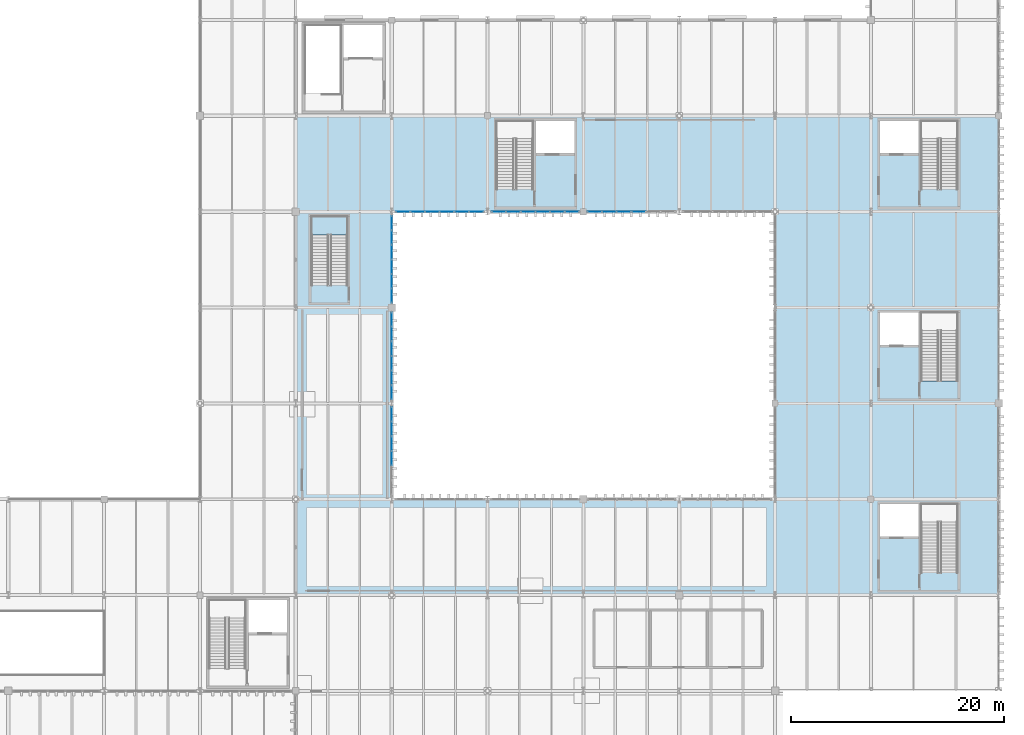
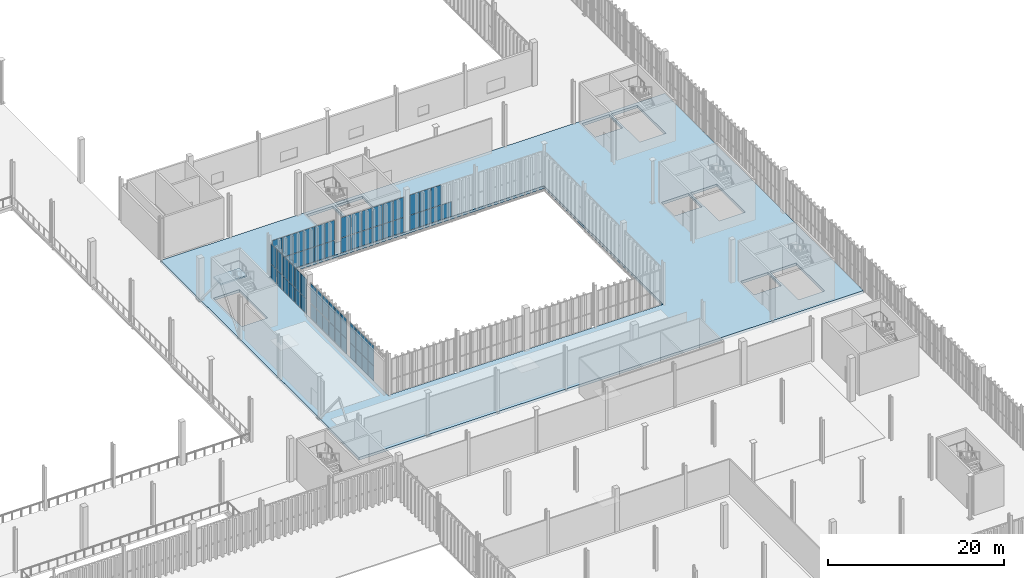
# One storey, part 163 of 211: 63 plates, 2 slabs, 7 elements without a shape of their own.
"""IFC4 building model written with IfcOpenShell, lengths in metres."""

from ifc_helpers import new_model, si_unit, direction, frame, origin, origin_2d, place, context, subcontext, project, spatial, polyline, rectangle, outline, extrude, material, layer, layer_set, type_object, element, aggregate, save


model = new_model("IFC4")

# Units and contexts
model_context = context("Model", 3, precision=1e-05, world=origin(), true_north=direction((0.0, 1.0)))
body_context = subcontext(model_context, "Body", "Model", "MODEL_VIEW")
ifc_project = project(units=[si_unit("LENGTHUNIT", "METRE"), si_unit("AREAUNIT", "SQUARE_METRE"), si_unit("VOLUMEUNIT", "CUBIC_METRE"), si_unit("PLANEANGLEUNIT", "RADIAN"), si_unit("MASSUNIT", "GRAM", prefix="KILO")], contexts=[model_context])

# Site, building, storey
site_placement = place(None, origin())
site = spatial("IfcSite", under=ifc_project, at=site_placement, CompositionType="ELEMENT")
building_placement = place(site_placement, origin())
building = spatial("IfcBuilding", under=site, at=building_placement, Name="Barlavento Convention Centre", CompositionType="ELEMENT")
storey_placement = place(building_placement, frame((0.0, 0.0, 6.0)))
storey = spatial("IfcBuildingStorey", under=building, at=storey_placement, Name="L01", CompositionType="ELEMENT", Elevation=6.0)

# Curtain wall, plates
ifc_material_1 = material(Name="Powder-coated aluminium and Low-E glass", Category="aluminium")
ifc_layer_1 = layer(ifc_material_1, 0.195068359375)
ifc_layer_set_1 = layer_set([ifc_layer_1], Name="ARC-CW-PATIO-A")
curtain_wall_type = type_object("IfcCurtainWallType", Name="ARC-CW-PATIO-A", PredefinedType="NOTDEFINED", material=ifc_layer_set_1)
curtain_wall_1_placement = place(storey_placement, origin())
curtain_wall_1 = element("IfcCurtainWall", 1, at=curtain_wall_1_placement, inside=storey, type_object=curtain_wall_type, Name="L01 unitised curtain wall CW11", PredefinedType="NOTDEFINED")
ifc_material_2 = material(Name="Double-silver Low-E insulated glass", Category="glass")
ifc_layer_2 = layer(ifc_material_2, 0.028076171875)
ifc_layer_set_2 = layer_set([ifc_layer_2], Name="ARC-CWP-GLZ28")
plate_type = type_object("IfcPlateType", Name="ARC-CWP-GLZ28", PredefinedType="CURTAIN_PANEL", material=ifc_layer_set_2)
plate_1_placement = place(storey_placement, frame((136.07421875, 90.0, 0.06005859375), z_axis=(0.0, 0.0, 1.0), x_axis=(1.0, 0.0, 0.0)))
plate_1 = element("IfcPlate", 2, at=plate_1_placement, type_object=plate_type, Name="CW11 panel 1.1", PredefinedType="CURTAIN_PANEL", context=body_context, shape_type="SweptSolid", body=[
    extrude(rectangle(XDim=1.288330078125, YDim=0.028076171875, at=origin_2d()), origin(), (0.0, 0.0, 1.0), 2.010009765625),
])
plate_2_placement = place(storey_placement, frame((136.07421875, 90.0, 2.1298828125), z_axis=(0.0, 0.0, 1.0), x_axis=(1.0, 0.0, 0.0)))
plate_2 = element("IfcPlate", 3, at=plate_2_placement, type_object=plate_type, Name="CW11 panel 1.2", PredefinedType="CURTAIN_PANEL", context=body_context, shape_type="SweptSolid", body=[
    extrude(rectangle(XDim=1.288330078125, YDim=0.028076171875, at=origin_2d()), origin(), (0.0, 0.0, 1.0), 2.760009765625),
])
plate_3_placement = place(storey_placement, frame((137.4375, 90.0, 0.06005859375), z_axis=(0.0, 0.0, 1.0), x_axis=(1.0, 0.0, 0.0)))
plate_3 = element("IfcPlate", 4, at=plate_3_placement, type_object=plate_type, Name="CW11 panel 2.1", PredefinedType="CURTAIN_PANEL", context=body_context, shape_type="SweptSolid", body=[
    extrude(rectangle(XDim=1.318359375, YDim=0.028076171875, at=origin_2d()), origin(), (0.0, 0.0, 1.0), 2.010009765625),
])
plate_4_placement = place(storey_placement, frame((137.4375, 90.0, 2.1298828125), z_axis=(0.0, 0.0, 1.0), x_axis=(1.0, 0.0, 0.0)))
plate_4 = element("IfcPlate", 5, at=plate_4_placement, type_object=plate_type, Name="CW11 panel 2.2", PredefinedType="CURTAIN_PANEL", context=body_context, shape_type="SweptSolid", body=[
    extrude(rectangle(XDim=1.318359375, YDim=0.028076171875, at=origin_2d()), origin(), (0.0, 0.0, 1.0), 2.760009765625),
])
plate_5_placement = place(storey_placement, frame((138.81591796875, 90.0, 0.06005859375), z_axis=(0.0, 0.0, 1.0), x_axis=(1.0, 0.0, 0.0)))
plate_5 = element("IfcPlate", 6, at=plate_5_placement, type_object=plate_type, Name="CW11 panel 3.1", PredefinedType="CURTAIN_PANEL", context=body_context, shape_type="SweptSolid", body=[
    extrude(rectangle(XDim=1.318359375, YDim=0.028076171875, at=origin_2d()), origin(), (0.0, 0.0, 1.0), 2.010009765625),
])
plate_6_placement = place(storey_placement, frame((138.81591796875, 90.0, 2.1298828125), z_axis=(0.0, 0.0, 1.0), x_axis=(1.0, 0.0, 0.0)))
plate_6 = element("IfcPlate", 7, at=plate_6_placement, type_object=plate_type, Name="CW11 panel 3.2", PredefinedType="CURTAIN_PANEL", context=body_context, shape_type="SweptSolid", body=[
    extrude(rectangle(XDim=1.318359375, YDim=0.028076171875, at=origin_2d()), origin(), (0.0, 0.0, 1.0), 2.760009765625),
])
plate_7_placement = place(storey_placement, frame((140.194091796875, 90.0, 0.06005859375), z_axis=(0.0, 0.0, 1.0), x_axis=(1.0, 0.0, 0.0)))
plate_7 = element("IfcPlate", 8, at=plate_7_placement, type_object=plate_type, Name="CW11 panel 4.1", PredefinedType="CURTAIN_PANEL", context=body_context, shape_type="SweptSolid", body=[
    extrude(rectangle(XDim=1.318359375, YDim=0.028076171875, at=origin_2d()), origin(), (0.0, 0.0, 1.0), 2.010009765625),
])
plate_8_placement = place(storey_placement, frame((140.194091796875, 90.0, 2.1298828125), z_axis=(0.0, 0.0, 1.0), x_axis=(1.0, 0.0, 0.0)))
plate_8 = element("IfcPlate", 9, at=plate_8_placement, type_object=plate_type, Name="CW11 panel 4.2", PredefinedType="CURTAIN_PANEL", context=body_context, shape_type="SweptSolid", body=[
    extrude(rectangle(XDim=1.318359375, YDim=0.028076171875, at=origin_2d()), origin(), (0.0, 0.0, 1.0), 2.760009765625),
])
plate_9_placement = place(storey_placement, frame((141.572509765625, 90.0, 0.06005859375), z_axis=(0.0, 0.0, 1.0), x_axis=(1.0, 0.0, 0.0)))
plate_9 = element("IfcPlate", 10, at=plate_9_placement, type_object=plate_type, Name="CW11 panel 5.1", PredefinedType="CURTAIN_PANEL", context=body_context, shape_type="SweptSolid", body=[
    extrude(rectangle(XDim=1.318359375, YDim=0.028076171875, at=origin_2d()), origin(), (0.0, 0.0, 1.0), 2.010009765625),
])
plate_10_placement = place(storey_placement, frame((141.572509765625, 90.0, 2.1298828125), z_axis=(0.0, 0.0, 1.0), x_axis=(1.0, 0.0, 0.0)))
plate_10 = element("IfcPlate", 11, at=plate_10_placement, type_object=plate_type, Name="CW11 panel 5.2", PredefinedType="CURTAIN_PANEL", context=body_context, shape_type="SweptSolid", body=[
    extrude(rectangle(XDim=1.318359375, YDim=0.028076171875, at=origin_2d()), origin(), (0.0, 0.0, 1.0), 2.760009765625),
])
plate_11_placement = place(storey_placement, frame((142.935791015625, 90.0, 0.06005859375), z_axis=(0.0, 0.0, 1.0), x_axis=(1.0, 0.0, 0.0)))
plate_11 = element("IfcPlate", 12, at=plate_11_placement, type_object=plate_type, Name="CW11 panel 6.1", PredefinedType="CURTAIN_PANEL", context=body_context, shape_type="SweptSolid", body=[
    extrude(rectangle(XDim=1.288330078125, YDim=0.028076171875, at=origin_2d()), origin(), (0.0, 0.0, 1.0), 2.010009765625),
])
plate_12_placement = place(storey_placement, frame((142.935791015625, 90.0, 2.1298828125), z_axis=(0.0, 0.0, 1.0), x_axis=(1.0, 0.0, 0.0)))
plate_12 = element("IfcPlate", 13, at=plate_12_placement, type_object=plate_type, Name="CW11 panel 6.2", PredefinedType="CURTAIN_PANEL", context=body_context, shape_type="SweptSolid", body=[
    extrude(rectangle(XDim=1.288330078125, YDim=0.028076171875, at=origin_2d()), origin(), (0.0, 0.0, 1.0), 2.760009765625),
])
aggregate(curtain_wall_1, [plate_1, plate_2, plate_3, plate_4, plate_5, plate_6, plate_7, plate_8, plate_9, plate_10, plate_11, plate_12])

curtain_wall_2_placement = place(storey_placement, origin())
curtain_wall_2 = element("IfcCurtainWall", 14, at=curtain_wall_2_placement, inside=storey, type_object=curtain_wall_type, Name="L01 unitised curtain wall CW11", PredefinedType="NOTDEFINED")
plate_13_placement = place(storey_placement, frame((145.06494140625, 90.0, 0.06005859375), z_axis=(0.0, 0.0, 1.0), x_axis=(1.0, 0.0, 0.0)))
plate_13 = element("IfcPlate", 15, at=plate_13_placement, type_object=plate_type, Name="CW11 panel 1.1", PredefinedType="CURTAIN_PANEL", context=body_context, shape_type="SweptSolid", body=[
    extrude(rectangle(XDim=1.2900390625, YDim=0.028076171875, at=origin_2d()), origin(), (0.0, 0.0, 1.0), 2.010009765625),
])
plate_14_placement = place(storey_placement, frame((145.06494140625, 90.0, 2.1298828125), z_axis=(0.0, 0.0, 1.0), x_axis=(1.0, 0.0, 0.0)))
plate_14 = element("IfcPlate", 16, at=plate_14_placement, type_object=plate_type, Name="CW11 panel 1.2", PredefinedType="CURTAIN_PANEL", context=body_context, shape_type="SweptSolid", body=[
    extrude(rectangle(XDim=1.2900390625, YDim=0.028076171875, at=origin_2d()), origin(), (0.0, 0.0, 1.0), 2.760009765625),
])
plate_15_placement = place(storey_placement, frame((146.429931640625, 90.0, 0.06005859375), z_axis=(0.0, 0.0, 1.0), x_axis=(1.0, 0.0, 0.0)))
plate_15 = element("IfcPlate", 17, at=plate_15_placement, type_object=plate_type, Name="CW11 panel 2.1", PredefinedType="CURTAIN_PANEL", context=body_context, shape_type="SweptSolid", body=[
    extrude(rectangle(XDim=1.320068359375, YDim=0.028076171875, at=origin_2d()), origin(), (0.0, 0.0, 1.0), 2.010009765625),
])
plate_16_placement = place(storey_placement, frame((146.429931640625, 90.0, 2.1298828125), z_axis=(0.0, 0.0, 1.0), x_axis=(1.0, 0.0, 0.0)))
plate_16 = element("IfcPlate", 18, at=plate_16_placement, type_object=plate_type, Name="CW11 panel 2.2", PredefinedType="CURTAIN_PANEL", context=body_context, shape_type="SweptSolid", body=[
    extrude(rectangle(XDim=1.320068359375, YDim=0.028076171875, at=origin_2d()), origin(), (0.0, 0.0, 1.0), 2.760009765625),
])
plate_17_placement = place(storey_placement, frame((147.81005859375, 90.0, 0.06005859375), z_axis=(0.0, 0.0, 1.0), x_axis=(1.0, 0.0, 0.0)))
plate_17 = element("IfcPlate", 19, at=plate_17_placement, type_object=plate_type, Name="CW11 panel 3.1", PredefinedType="CURTAIN_PANEL", context=body_context, shape_type="SweptSolid", body=[
    extrude(rectangle(XDim=1.320068359375, YDim=0.028076171875, at=origin_2d()), origin(), (0.0, 0.0, 1.0), 2.010009765625),
])
plate_18_placement = place(storey_placement, frame((147.81005859375, 90.0, 2.1298828125), z_axis=(0.0, 0.0, 1.0), x_axis=(1.0, 0.0, 0.0)))
plate_18 = element("IfcPlate", 20, at=plate_18_placement, type_object=plate_type, Name="CW11 panel 3.2", PredefinedType="CURTAIN_PANEL", context=body_context, shape_type="SweptSolid", body=[
    extrude(rectangle(XDim=1.320068359375, YDim=0.028076171875, at=origin_2d()), origin(), (0.0, 0.0, 1.0), 2.760009765625),
])
plate_19_placement = place(storey_placement, frame((149.18994140625, 90.0, 0.06005859375), z_axis=(0.0, 0.0, 1.0), x_axis=(1.0, 0.0, 0.0)))
plate_19 = element("IfcPlate", 21, at=plate_19_placement, type_object=plate_type, Name="CW11 panel 4.1", PredefinedType="CURTAIN_PANEL", context=body_context, shape_type="SweptSolid", body=[
    extrude(rectangle(XDim=1.320068359375, YDim=0.028076171875, at=origin_2d()), origin(), (0.0, 0.0, 1.0), 2.010009765625),
])
plate_20_placement = place(storey_placement, frame((149.18994140625, 90.0, 2.1298828125), z_axis=(0.0, 0.0, 1.0), x_axis=(1.0, 0.0, 0.0)))
plate_20 = element("IfcPlate", 22, at=plate_20_placement, type_object=plate_type, Name="CW11 panel 4.2", PredefinedType="CURTAIN_PANEL", context=body_context, shape_type="SweptSolid", body=[
    extrude(rectangle(XDim=1.320068359375, YDim=0.028076171875, at=origin_2d()), origin(), (0.0, 0.0, 1.0), 2.760009765625),
])
plate_21_placement = place(storey_placement, frame((150.570068359375, 90.0, 0.06005859375), z_axis=(0.0, 0.0, 1.0), x_axis=(1.0, 0.0, 0.0)))
plate_21 = element("IfcPlate", 23, at=plate_21_placement, type_object=plate_type, Name="CW11 panel 5.1", PredefinedType="CURTAIN_PANEL", context=body_context, shape_type="SweptSolid", body=[
    extrude(rectangle(XDim=1.320068359375, YDim=0.028076171875, at=origin_2d()), origin(), (0.0, 0.0, 1.0), 2.010009765625),
])
plate_22_placement = place(storey_placement, frame((150.570068359375, 90.0, 2.1298828125), z_axis=(0.0, 0.0, 1.0), x_axis=(1.0, 0.0, 0.0)))
plate_22 = element("IfcPlate", 24, at=plate_22_placement, type_object=plate_type, Name="CW11 panel 5.2", PredefinedType="CURTAIN_PANEL", context=body_context, shape_type="SweptSolid", body=[
    extrude(rectangle(XDim=1.320068359375, YDim=0.028076171875, at=origin_2d()), origin(), (0.0, 0.0, 1.0), 2.760009765625),
])
plate_23_placement = place(storey_placement, frame((151.93505859375, 90.0, 0.06005859375), z_axis=(0.0, 0.0, 1.0), x_axis=(1.0, 0.0, 0.0)))
plate_23 = element("IfcPlate", 25, at=plate_23_placement, type_object=plate_type, Name="CW11 panel 6.1", PredefinedType="CURTAIN_PANEL", context=body_context, shape_type="SweptSolid", body=[
    extrude(rectangle(XDim=1.2900390625, YDim=0.028076171875, at=origin_2d()), origin(), (0.0, 0.0, 1.0), 2.010009765625),
])
plate_24_placement = place(storey_placement, frame((151.93505859375, 90.0, 2.1298828125), z_axis=(0.0, 0.0, 1.0), x_axis=(1.0, 0.0, 0.0)))
plate_24 = element("IfcPlate", 26, at=plate_24_placement, type_object=plate_type, Name="CW11 panel 6.2", PredefinedType="CURTAIN_PANEL", context=body_context, shape_type="SweptSolid", body=[
    extrude(rectangle(XDim=1.2900390625, YDim=0.028076171875, at=origin_2d()), origin(), (0.0, 0.0, 1.0), 2.760009765625),
])
aggregate(curtain_wall_2, [plate_13, plate_14, plate_15, plate_16, plate_17, plate_18, plate_19, plate_20, plate_21, plate_22, plate_23, plate_24])

curtain_wall_3_placement = place(storey_placement, origin())
curtain_wall_3 = element("IfcCurtainWall", 27, at=curtain_wall_3_placement, inside=storey, type_object=curtain_wall_type, Name="L01 unitised curtain wall CW11", PredefinedType="NOTDEFINED")
plate_25_placement = place(storey_placement, frame((154.066162109375, 90.0, 0.06005859375), z_axis=(0.0, 0.0, 1.0), x_axis=(1.0, 0.0, 0.0)))
plate_25 = element("IfcPlate", 28, at=plate_25_placement, type_object=plate_type, Name="CW11 panel 1.1", PredefinedType="CURTAIN_PANEL", context=body_context, shape_type="SweptSolid", body=[
    extrude(rectangle(XDim=1.292236328125, YDim=0.028076171875, at=origin_2d()), origin(), (0.0, 0.0, 1.0), 2.010009765625),
])
plate_26_placement = place(storey_placement, frame((154.066162109375, 90.0, 2.1298828125), z_axis=(0.0, 0.0, 1.0), x_axis=(1.0, 0.0, 0.0)))
plate_26 = element("IfcPlate", 29, at=plate_26_placement, type_object=plate_type, Name="CW11 panel 1.2", PredefinedType="CURTAIN_PANEL", context=body_context, shape_type="SweptSolid", body=[
    extrude(rectangle(XDim=1.292236328125, YDim=0.028076171875, at=origin_2d()), origin(), (0.0, 0.0, 1.0), 2.760009765625),
])
plate_27_placement = place(storey_placement, frame((155.43359375, 90.0, 0.06005859375), z_axis=(0.0, 0.0, 1.0), x_axis=(1.0, 0.0, 0.0)))
plate_27 = element("IfcPlate", 30, at=plate_27_placement, type_object=plate_type, Name="CW11 panel 2.1", PredefinedType="CURTAIN_PANEL", context=body_context, shape_type="SweptSolid", body=[
    extrude(rectangle(XDim=1.322265625, YDim=0.028076171875, at=origin_2d()), origin(), (0.0, 0.0, 1.0), 2.010009765625),
])
plate_28_placement = place(storey_placement, frame((155.43359375, 90.0, 2.1298828125), z_axis=(0.0, 0.0, 1.0), x_axis=(1.0, 0.0, 0.0)))
plate_28 = element("IfcPlate", 31, at=plate_28_placement, type_object=plate_type, Name="CW11 panel 2.2", PredefinedType="CURTAIN_PANEL", context=body_context, shape_type="SweptSolid", body=[
    extrude(rectangle(XDim=1.322265625, YDim=0.028076171875, at=origin_2d()), origin(), (0.0, 0.0, 1.0), 2.760009765625),
])
plate_29_placement = place(storey_placement, frame((156.81591796875, 90.0, 0.06005859375), z_axis=(0.0, 0.0, 1.0), x_axis=(1.0, 0.0, 0.0)))
plate_29 = element("IfcPlate", 32, at=plate_29_placement, type_object=plate_type, Name="CW11 panel 3.1", PredefinedType="CURTAIN_PANEL", context=body_context, shape_type="SweptSolid", body=[
    extrude(rectangle(XDim=1.322265625, YDim=0.028076171875, at=origin_2d()), origin(), (0.0, 0.0, 1.0), 2.010009765625),
])
plate_30_placement = place(storey_placement, frame((156.81591796875, 90.0, 2.1298828125), z_axis=(0.0, 0.0, 1.0), x_axis=(1.0, 0.0, 0.0)))
plate_30 = element("IfcPlate", 33, at=plate_30_placement, type_object=plate_type, Name="CW11 panel 3.2", PredefinedType="CURTAIN_PANEL", context=body_context, shape_type="SweptSolid", body=[
    extrude(rectangle(XDim=1.322265625, YDim=0.028076171875, at=origin_2d()), origin(), (0.0, 0.0, 1.0), 2.760009765625),
])
plate_31_placement = place(storey_placement, frame((158.1982421875, 90.0, 0.06005859375), z_axis=(0.0, 0.0, 1.0), x_axis=(1.0, 0.0, 0.0)))
plate_31 = element("IfcPlate", 34, at=plate_31_placement, type_object=plate_type, Name="CW11 panel 4.1", PredefinedType="CURTAIN_PANEL", context=body_context, shape_type="SweptSolid", body=[
    extrude(rectangle(XDim=1.322265625, YDim=0.028076171875, at=origin_2d()), origin(), (0.0, 0.0, 1.0), 2.010009765625),
])
aggregate(curtain_wall_3, [plate_25, plate_26, plate_27, plate_28, plate_29, plate_30, plate_31])

curtain_wall_4_placement = place(storey_placement, origin())
curtain_wall_4 = element("IfcCurtainWall", 35, at=curtain_wall_4_placement, inside=storey, type_object=curtain_wall_type, Name="L01 unitised curtain wall CW11", PredefinedType="NOTDEFINED")
plate_32_placement = place(storey_placement, frame((135.0, 66.845703125, 0.06005859375), z_axis=(0.0, 0.0, 1.0), x_axis=(0.0, 1.0, 0.0)))
plate_32 = element("IfcPlate", 36, at=plate_32_placement, type_object=plate_type, Name="CW11 panel 3.1", PredefinedType="CURTAIN_PANEL", context=body_context, shape_type="SweptSolid", body=[
    extrude(rectangle(XDim=1.320556640625, YDim=0.028076171875, at=origin_2d()), origin(), (0.0, 0.0, 1.0), 2.010009765625),
])
plate_33_placement = place(storey_placement, frame((135.0, 66.845703125, 2.1298828125), z_axis=(0.0, 0.0, 1.0), x_axis=(0.0, 1.0, 0.0)))
plate_33 = element("IfcPlate", 37, at=plate_33_placement, type_object=plate_type, Name="CW11 panel 3.2", PredefinedType="CURTAIN_PANEL", context=body_context, shape_type="SweptSolid", body=[
    extrude(rectangle(XDim=1.320556640625, YDim=0.028076171875, at=origin_2d()), origin(), (0.0, 0.0, 1.0), 2.760009765625),
])
plate_34_placement = place(storey_placement, frame((135.0, 68.226318359375, 0.06005859375), z_axis=(0.0, 0.0, 1.0), x_axis=(0.0, 1.0, 0.0)))
plate_34 = element("IfcPlate", 38, at=plate_34_placement, type_object=plate_type, Name="CW11 panel 4.1", PredefinedType="CURTAIN_PANEL", context=body_context, shape_type="SweptSolid", body=[
    extrude(rectangle(XDim=1.320556640625, YDim=0.028076171875, at=origin_2d()), origin(), (0.0, 0.0, 1.0), 2.010009765625),
])
plate_35_placement = place(storey_placement, frame((135.0, 68.226318359375, 2.1298828125), z_axis=(0.0, 0.0, 1.0), x_axis=(0.0, 1.0, 0.0)))
plate_35 = element("IfcPlate", 39, at=plate_35_placement, type_object=plate_type, Name="CW11 panel 4.2", PredefinedType="CURTAIN_PANEL", context=body_context, shape_type="SweptSolid", body=[
    extrude(rectangle(XDim=1.320556640625, YDim=0.028076171875, at=origin_2d()), origin(), (0.0, 0.0, 1.0), 2.760009765625),
])
plate_36_placement = place(storey_placement, frame((135.0, 69.60693359375, 0.06005859375), z_axis=(0.0, 0.0, 1.0), x_axis=(0.0, 1.0, 0.0)))
plate_36 = element("IfcPlate", 40, at=plate_36_placement, type_object=plate_type, Name="CW11 panel 5.1", PredefinedType="CURTAIN_PANEL", context=body_context, shape_type="SweptSolid", body=[
    extrude(rectangle(XDim=1.320556640625, YDim=0.028076171875, at=origin_2d()), origin(), (0.0, 0.0, 1.0), 2.010009765625),
])
plate_37_placement = place(storey_placement, frame((135.0, 69.60693359375, 2.1298828125), z_axis=(0.0, 0.0, 1.0), x_axis=(0.0, 1.0, 0.0)))
plate_37 = element("IfcPlate", 41, at=plate_37_placement, type_object=plate_type, Name="CW11 panel 5.2", PredefinedType="CURTAIN_PANEL", context=body_context, shape_type="SweptSolid", body=[
    extrude(rectangle(XDim=1.320556640625, YDim=0.028076171875, at=origin_2d()), origin(), (0.0, 0.0, 1.0), 2.760009765625),
])
plate_38_placement = place(storey_placement, frame((135.0, 70.97265625, 0.06005859375), z_axis=(0.0, 0.0, 1.0), x_axis=(0.0, 1.0, 0.0)))
plate_38 = element("IfcPlate", 42, at=plate_38_placement, type_object=plate_type, Name="CW11 panel 6.1", PredefinedType="CURTAIN_PANEL", context=body_context, shape_type="SweptSolid", body=[
    extrude(rectangle(XDim=1.290771484375, YDim=0.028076171875, at=origin_2d()), origin(), (0.0, 0.0, 1.0), 2.010009765625),
])
plate_39_placement = place(storey_placement, frame((135.0, 70.97265625, 2.1298828125), z_axis=(0.0, 0.0, 1.0), x_axis=(0.0, 1.0, 0.0)))
plate_39 = element("IfcPlate", 43, at=plate_39_placement, type_object=plate_type, Name="CW11 panel 6.2", PredefinedType="CURTAIN_PANEL", context=body_context, shape_type="SweptSolid", body=[
    extrude(rectangle(XDim=1.290771484375, YDim=0.028076171875, at=origin_2d()), origin(), (0.0, 0.0, 1.0), 2.760009765625),
])
aggregate(curtain_wall_4, [plate_32, plate_33, plate_34, plate_35, plate_36, plate_37, plate_38, plate_39])

curtain_wall_5_placement = place(storey_placement, origin())
curtain_wall_5 = element("IfcCurtainWall", 44, at=curtain_wall_5_placement, inside=storey, type_object=curtain_wall_type, Name="L01 unitised curtain wall CW11", PredefinedType="NOTDEFINED")
plate_40_placement = place(storey_placement, frame((135.0, 73.02587890625, 0.06005859375), z_axis=(0.0, 0.0, 1.0), x_axis=(0.0, 1.0, 0.0)))
plate_40 = element("IfcPlate", 45, at=plate_40_placement, type_object=plate_type, Name="CW11 panel 1.1", PredefinedType="CURTAIN_PANEL", context=body_context, shape_type="SweptSolid", body=[
    extrude(rectangle(XDim=1.2880859375, YDim=0.028076171875, at=origin_2d()), origin(), (0.0, 0.0, 1.0), 2.010009765625),
])
plate_41_placement = place(storey_placement, frame((135.0, 73.02587890625, 2.1298828125), z_axis=(0.0, 0.0, 1.0), x_axis=(0.0, 1.0, 0.0)))
plate_41 = element("IfcPlate", 46, at=plate_41_placement, type_object=plate_type, Name="CW11 panel 1.2", PredefinedType="CURTAIN_PANEL", context=body_context, shape_type="SweptSolid", body=[
    extrude(rectangle(XDim=1.2880859375, YDim=0.028076171875, at=origin_2d()), origin(), (0.0, 0.0, 1.0), 2.760009765625),
])
plate_42_placement = place(storey_placement, frame((135.0, 74.388916015625, 0.06005859375), z_axis=(0.0, 0.0, 1.0), x_axis=(0.0, 1.0, 0.0)))
plate_42 = element("IfcPlate", 47, at=plate_42_placement, type_object=plate_type, Name="CW11 panel 2.1", PredefinedType="CURTAIN_PANEL", context=body_context, shape_type="SweptSolid", body=[
    extrude(rectangle(XDim=1.318115234375, YDim=0.028076171875, at=origin_2d()), origin(), (0.0, 0.0, 1.0), 2.010009765625),
])
plate_43_placement = place(storey_placement, frame((135.0, 74.388916015625, 2.1298828125), z_axis=(0.0, 0.0, 1.0), x_axis=(0.0, 1.0, 0.0)))
plate_43 = element("IfcPlate", 48, at=plate_43_placement, type_object=plate_type, Name="CW11 panel 2.2", PredefinedType="CURTAIN_PANEL", context=body_context, shape_type="SweptSolid", body=[
    extrude(rectangle(XDim=1.318115234375, YDim=0.028076171875, at=origin_2d()), origin(), (0.0, 0.0, 1.0), 2.760009765625),
])
plate_44_placement = place(storey_placement, frame((135.0, 75.76708984375, 0.06005859375), z_axis=(0.0, 0.0, 1.0), x_axis=(0.0, 1.0, 0.0)))
plate_44 = element("IfcPlate", 49, at=plate_44_placement, type_object=plate_type, Name="CW11 panel 3.1", PredefinedType="CURTAIN_PANEL", context=body_context, shape_type="SweptSolid", body=[
    extrude(rectangle(XDim=1.318115234375, YDim=0.028076171875, at=origin_2d()), origin(), (0.0, 0.0, 1.0), 2.010009765625),
])
plate_45_placement = place(storey_placement, frame((135.0, 75.76708984375, 2.1298828125), z_axis=(0.0, 0.0, 1.0), x_axis=(0.0, 1.0, 0.0)))
plate_45 = element("IfcPlate", 50, at=plate_45_placement, type_object=plate_type, Name="CW11 panel 3.2", PredefinedType="CURTAIN_PANEL", context=body_context, shape_type="SweptSolid", body=[
    extrude(rectangle(XDim=1.318115234375, YDim=0.028076171875, at=origin_2d()), origin(), (0.0, 0.0, 1.0), 2.760009765625),
])
plate_46_placement = place(storey_placement, frame((135.0, 77.14501953125, 0.06005859375), z_axis=(0.0, 0.0, 1.0), x_axis=(0.0, 1.0, 0.0)))
plate_46 = element("IfcPlate", 51, at=plate_46_placement, type_object=plate_type, Name="CW11 panel 4.1", PredefinedType="CURTAIN_PANEL", context=body_context, shape_type="SweptSolid", body=[
    extrude(rectangle(XDim=1.318115234375, YDim=0.028076171875, at=origin_2d()), origin(), (0.0, 0.0, 1.0), 2.010009765625),
])
plate_47_placement = place(storey_placement, frame((135.0, 77.14501953125, 2.1298828125), z_axis=(0.0, 0.0, 1.0), x_axis=(0.0, 1.0, 0.0)))
plate_47 = element("IfcPlate", 52, at=plate_47_placement, type_object=plate_type, Name="CW11 panel 4.2", PredefinedType="CURTAIN_PANEL", context=body_context, shape_type="SweptSolid", body=[
    extrude(rectangle(XDim=1.318115234375, YDim=0.028076171875, at=origin_2d()), origin(), (0.0, 0.0, 1.0), 2.760009765625),
])
plate_48_placement = place(storey_placement, frame((135.0, 78.52294921875, 0.06005859375), z_axis=(0.0, 0.0, 1.0), x_axis=(0.0, 1.0, 0.0)))
plate_48 = element("IfcPlate", 53, at=plate_48_placement, type_object=plate_type, Name="CW11 panel 5.1", PredefinedType="CURTAIN_PANEL", context=body_context, shape_type="SweptSolid", body=[
    extrude(rectangle(XDim=1.318115234375, YDim=0.028076171875, at=origin_2d()), origin(), (0.0, 0.0, 1.0), 2.010009765625),
])
plate_49_placement = place(storey_placement, frame((135.0, 78.52294921875, 2.1298828125), z_axis=(0.0, 0.0, 1.0), x_axis=(0.0, 1.0, 0.0)))
plate_49 = element("IfcPlate", 54, at=plate_49_placement, type_object=plate_type, Name="CW11 panel 5.2", PredefinedType="CURTAIN_PANEL", context=body_context, shape_type="SweptSolid", body=[
    extrude(rectangle(XDim=1.318115234375, YDim=0.028076171875, at=origin_2d()), origin(), (0.0, 0.0, 1.0), 2.760009765625),
])
plate_50_placement = place(storey_placement, frame((135.0, 79.885986328125, 0.06005859375), z_axis=(0.0, 0.0, 1.0), x_axis=(0.0, 1.0, 0.0)))
plate_50 = element("IfcPlate", 55, at=plate_50_placement, type_object=plate_type, Name="CW11 panel 6.1", PredefinedType="CURTAIN_PANEL", context=body_context, shape_type="SweptSolid", body=[
    extrude(rectangle(XDim=1.2880859375, YDim=0.028076171875, at=origin_2d()), origin(), (0.0, 0.0, 1.0), 2.010009765625),
])
plate_51_placement = place(storey_placement, frame((135.0, 79.885986328125, 2.1298828125), z_axis=(0.0, 0.0, 1.0), x_axis=(0.0, 1.0, 0.0)))
plate_51 = element("IfcPlate", 56, at=plate_51_placement, type_object=plate_type, Name="CW11 panel 6.2", PredefinedType="CURTAIN_PANEL", context=body_context, shape_type="SweptSolid", body=[
    extrude(rectangle(XDim=1.2880859375, YDim=0.028076171875, at=origin_2d()), origin(), (0.0, 0.0, 1.0), 2.760009765625),
])
aggregate(curtain_wall_5, [plate_40, plate_41, plate_42, plate_43, plate_44, plate_45, plate_46, plate_47, plate_48, plate_49, plate_50, plate_51])

curtain_wall_6_placement = place(storey_placement, origin())
curtain_wall_6 = element("IfcCurtainWall", 57, at=curtain_wall_6_placement, inside=storey, type_object=curtain_wall_type, Name="L01 unitised curtain wall CW11", PredefinedType="NOTDEFINED")
plate_52_placement = place(storey_placement, frame((135.0, 82.110107421875, 0.06005859375), z_axis=(0.0, 0.0, 1.0), x_axis=(0.0, 1.0, 0.0)))
plate_52 = element("IfcPlate", 58, at=plate_52_placement, type_object=plate_type, Name="CW11 panel 1.1", PredefinedType="CURTAIN_PANEL", context=body_context, shape_type="SweptSolid", body=[
    extrude(rectangle(XDim=1.280029296875, YDim=0.028076171875, at=origin_2d()), origin(), (0.0, 0.0, 1.0), 2.010009765625),
])
plate_53_placement = place(storey_placement, frame((135.0, 82.110107421875, 2.1298828125), z_axis=(0.0, 0.0, 1.0), x_axis=(0.0, 1.0, 0.0)))
plate_53 = element("IfcPlate", 59, at=plate_53_placement, type_object=plate_type, Name="CW11 panel 1.2", PredefinedType="CURTAIN_PANEL", context=body_context, shape_type="SweptSolid", body=[
    extrude(rectangle(XDim=1.280029296875, YDim=0.028076171875, at=origin_2d()), origin(), (0.0, 0.0, 1.0), 2.760009765625),
])
plate_54_placement = place(storey_placement, frame((135.0, 83.465087890625, 0.06005859375), z_axis=(0.0, 0.0, 1.0), x_axis=(0.0, 1.0, 0.0)))
plate_54 = element("IfcPlate", 60, at=plate_54_placement, type_object=plate_type, Name="CW11 panel 2.1", PredefinedType="CURTAIN_PANEL", context=body_context, shape_type="SweptSolid", body=[
    extrude(rectangle(XDim=1.31005859375, YDim=0.028076171875, at=origin_2d()), origin(), (0.0, 0.0, 1.0), 2.010009765625),
])
plate_55_placement = place(storey_placement, frame((135.0, 83.465087890625, 2.1298828125), z_axis=(0.0, 0.0, 1.0), x_axis=(0.0, 1.0, 0.0)))
plate_55 = element("IfcPlate", 61, at=plate_55_placement, type_object=plate_type, Name="CW11 panel 2.2", PredefinedType="CURTAIN_PANEL", context=body_context, shape_type="SweptSolid", body=[
    extrude(rectangle(XDim=1.31005859375, YDim=0.028076171875, at=origin_2d()), origin(), (0.0, 0.0, 1.0), 2.760009765625),
])
plate_56_placement = place(storey_placement, frame((135.0, 84.8349609375, 0.06005859375), z_axis=(0.0, 0.0, 1.0), x_axis=(0.0, 1.0, 0.0)))
plate_56 = element("IfcPlate", 62, at=plate_56_placement, type_object=plate_type, Name="CW11 panel 3.1", PredefinedType="CURTAIN_PANEL", context=body_context, shape_type="SweptSolid", body=[
    extrude(rectangle(XDim=1.31005859375, YDim=0.028076171875, at=origin_2d()), origin(), (0.0, 0.0, 1.0), 2.010009765625),
])
plate_57_placement = place(storey_placement, frame((135.0, 84.8349609375, 2.1298828125), z_axis=(0.0, 0.0, 1.0), x_axis=(0.0, 1.0, 0.0)))
plate_57 = element("IfcPlate", 63, at=plate_57_placement, type_object=plate_type, Name="CW11 panel 3.2", PredefinedType="CURTAIN_PANEL", context=body_context, shape_type="SweptSolid", body=[
    extrude(rectangle(XDim=1.31005859375, YDim=0.028076171875, at=origin_2d()), origin(), (0.0, 0.0, 1.0), 2.760009765625),
])
plate_58_placement = place(storey_placement, frame((135.0, 86.205078125, 0.06005859375), z_axis=(0.0, 0.0, 1.0), x_axis=(0.0, 1.0, 0.0)))
plate_58 = element("IfcPlate", 64, at=plate_58_placement, type_object=plate_type, Name="CW11 panel 4.1", PredefinedType="CURTAIN_PANEL", context=body_context, shape_type="SweptSolid", body=[
    extrude(rectangle(XDim=1.31005859375, YDim=0.028076171875, at=origin_2d()), origin(), (0.0, 0.0, 1.0), 2.010009765625),
])
plate_59_placement = place(storey_placement, frame((135.0, 86.205078125, 2.1298828125), z_axis=(0.0, 0.0, 1.0), x_axis=(0.0, 1.0, 0.0)))
plate_59 = element("IfcPlate", 65, at=plate_59_placement, type_object=plate_type, Name="CW11 panel 4.2", PredefinedType="CURTAIN_PANEL", context=body_context, shape_type="SweptSolid", body=[
    extrude(rectangle(XDim=1.31005859375, YDim=0.028076171875, at=origin_2d()), origin(), (0.0, 0.0, 1.0), 2.760009765625),
])
plate_60_placement = place(storey_placement, frame((135.0, 87.574951171875, 0.06005859375), z_axis=(0.0, 0.0, 1.0), x_axis=(0.0, 1.0, 0.0)))
plate_60 = element("IfcPlate", 66, at=plate_60_placement, type_object=plate_type, Name="CW11 panel 5.1", PredefinedType="CURTAIN_PANEL", context=body_context, shape_type="SweptSolid", body=[
    extrude(rectangle(XDim=1.31005859375, YDim=0.028076171875, at=origin_2d()), origin(), (0.0, 0.0, 1.0), 2.010009765625),
])
plate_61_placement = place(storey_placement, frame((135.0, 87.574951171875, 2.1298828125), z_axis=(0.0, 0.0, 1.0), x_axis=(0.0, 1.0, 0.0)))
plate_61 = element("IfcPlate", 67, at=plate_61_placement, type_object=plate_type, Name="CW11 panel 5.2", PredefinedType="CURTAIN_PANEL", context=body_context, shape_type="SweptSolid", body=[
    extrude(rectangle(XDim=1.31005859375, YDim=0.028076171875, at=origin_2d()), origin(), (0.0, 0.0, 1.0), 2.760009765625),
])
plate_62_placement = place(storey_placement, frame((135.0, 88.929931640625, 0.06005859375), z_axis=(0.0, 0.0, 1.0), x_axis=(0.0, 1.0, 0.0)))
plate_62 = element("IfcPlate", 68, at=plate_62_placement, type_object=plate_type, Name="CW11 panel 6.1", PredefinedType="CURTAIN_PANEL", context=body_context, shape_type="SweptSolid", body=[
    extrude(rectangle(XDim=1.280029296875, YDim=0.028076171875, at=origin_2d()), origin(), (0.0, 0.0, 1.0), 2.010009765625),
])
plate_63_placement = place(storey_placement, frame((135.0, 88.929931640625, 2.1298828125), z_axis=(0.0, 0.0, 1.0), x_axis=(0.0, 1.0, 0.0)))
plate_63 = element("IfcPlate", 69, at=plate_63_placement, type_object=plate_type, Name="CW11 panel 6.2", PredefinedType="CURTAIN_PANEL", context=body_context, shape_type="SweptSolid", body=[
    extrude(rectangle(XDim=1.280029296875, YDim=0.028076171875, at=origin_2d()), origin(), (0.0, 0.0, 1.0), 2.760009765625),
])
aggregate(curtain_wall_6, [plate_52, plate_53, plate_54, plate_55, plate_56, plate_57, plate_58, plate_59, plate_60, plate_61, plate_62, plate_63])

# Stair, slab
ifc_material_3 = material(Name="Concrete C40/50", Category="concrete")
stair_type = type_object("IfcStairType", Name="ARC-STR-DOG-1600", PredefinedType="HALF_TURN_STAIR", material=ifc_material_3)
stair_placement = place(storey_placement, origin())
stair = element("IfcStair", 70, at=stair_placement, inside=storey, type_object=stair_type, Name="L01 ST12", PredefinedType="HALF_TURN_STAIR")
ifc_layer_3 = layer(ifc_material_3, 0.199951171875)
ifc_layer_set_3 = layer_set([ifc_layer_3], Name="ARC-SLB-LND-200")
slab_type_1 = type_object("IfcSlabType", Name="ARC-SLB-LND-200", PredefinedType="LANDING", material=ifc_layer_set_3)
slab_1_placement = place(storey_placement, frame((0.0, 0.0, 2.800048828125)))
slab_1 = element("IfcSlab", 71, at=slab_1_placement, type_object=slab_type_1, Name="ST12 landing 1", PredefinedType="LANDING", context=body_context, shape_type="SweptSolid", body=[
    extrude(outline(polyline([(130.85009765625, 87.830078125), (130.85009765625, 89.530029296875), (127.449951171875, 89.530029296875), (127.449951171875, 87.830078125), (130.85009765625, 87.830078125)])), origin(), (0.0, 0.0, 1.0), 0.199951171875),
])
aggregate(stair, [slab_1])

# Slab
ifc_layer_4 = layer(ifc_material_3, 0.360107421875)
ifc_layer_set_4 = layer_set([ifc_layer_4], Name="STR-SLB-FLR-360")
slab_type_2 = type_object("IfcSlabType", Name="STR-SLB-FLR-360", PredefinedType="FLOOR", material=ifc_layer_set_4)
slab_2_placement = place(storey_placement, frame((0.0, 0.0, -0.360107421875)))
element("IfcSlab", 72, at=slab_2_placement, inside=storey, type_object=slab_type_2, Name="L01 structural slab FS-105", PredefinedType="FLOOR", context=body_context, shape_type="SweptSolid", body=[
    extrude(outline(polyline([(126.0, 54.0), (192.0, 54.0), (192.0, 99.0), (126.0, 99.0), (126.0, 54.0)]), holes=[polyline([(135.0, 63.0), (171.0, 63.0), (171.0, 90.0), (135.0, 90.0), (135.0, 63.0)]), polyline([(188.14990234375, 56.114990234375), (188.14990234375, 62.530029296875), (184.7099609375, 62.530029296875), (184.7099609375, 56.114990234375), (188.14990234375, 56.114990234375)]), polyline([(180.85009765625, 59.4951171875), (184.4599609375, 59.4951171875), (184.4599609375, 62.530029296875), (180.85009765625, 62.530029296875), (180.85009765625, 59.4951171875)]), polyline([(188.14990234375, 74.114990234375), (188.14990234375, 80.530029296875), (184.7099609375, 80.530029296875), (184.7099609375, 74.114990234375), (188.14990234375, 74.114990234375)]), polyline([(180.85009765625, 77.4951171875), (184.4599609375, 77.4951171875), (184.4599609375, 80.530029296875), (180.85009765625, 80.530029296875), (180.85009765625, 77.4951171875)]), polyline([(188.14990234375, 92.114990234375), (188.14990234375, 98.530029296875), (184.7099609375, 98.530029296875), (184.7099609375, 92.114990234375), (188.14990234375, 92.114990234375)]), polyline([(180.85009765625, 95.4951171875), (184.4599609375, 95.4951171875), (184.4599609375, 98.530029296875), (180.85009765625, 98.530029296875), (180.85009765625, 95.4951171875)]), polyline([(148.2900390625, 92.114990234375), (148.2900390625, 98.530029296875), (144.85009765625, 98.530029296875), (144.85009765625, 92.114990234375), (148.2900390625, 92.114990234375)]), polyline([(148.5400390625, 95.4951171875), (152.14990234375, 95.4951171875), (152.14990234375, 98.530029296875), (148.5400390625, 98.530029296875), (148.5400390625, 95.4951171875)]), polyline([(130.85009765625, 83.094970703125), (130.85009765625, 89.530029296875), (127.449951171875, 89.530029296875), (127.449951171875, 83.094970703125), (130.85009765625, 83.094970703125)])]), origin(), (0.0, 0.0, 1.0), 0.360107421875),
])

save(model, "model.ifc")
